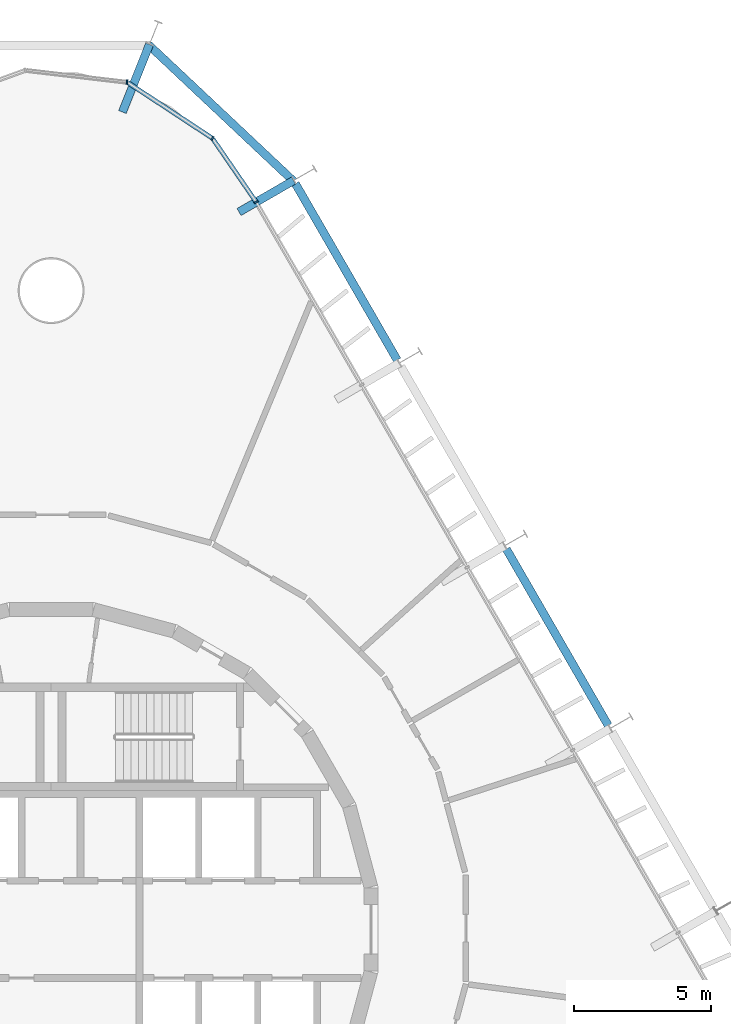
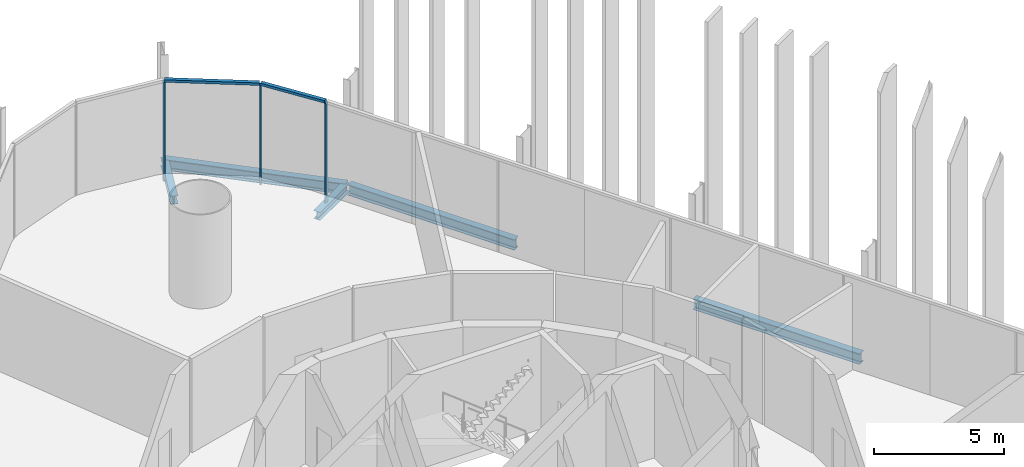
# One storey, part 11 of 17: 5 beams, 5 members, 1 element without a shape of its own.
"""IFC4 building model written with IfcOpenShell, lengths in metres."""

from ifc_helpers import new_model, si_unit, direction, frame, origin, origin_2d, place, context, subcontext, project, spatial, rectangle, i_section, extrude, material, layer, layer_set, material_profile, profile_set, type_object, element, aggregate, save


model = new_model("IFC4")

# Units and contexts
model_context = context("Model", 3, precision=1e-05, world=origin(), true_north=direction((0.0, 1.0)))
body_context = subcontext(model_context, "Body", "Model", "MODEL_VIEW")
ifc_project = project(units=[si_unit("LENGTHUNIT", "METRE"), si_unit("AREAUNIT", "SQUARE_METRE"), si_unit("VOLUMEUNIT", "CUBIC_METRE"), si_unit("PLANEANGLEUNIT", "RADIAN"), si_unit("MASSUNIT", "GRAM", prefix="KILO")], contexts=[model_context])

# Site, building, storey
site_placement = place(None, origin())
site = spatial("IfcSite", under=ifc_project, at=site_placement, CompositionType="ELEMENT")
building_placement = place(site_placement, origin())
building = spatial("IfcBuilding", under=site, at=building_placement, Name="Spindle Arch Residences", CompositionType="ELEMENT")
storey_placement = place(building_placement, frame((0.0, 0.0, 18.60009765625)))
storey = spatial("IfcBuildingStorey", under=building, at=storey_placement, Name="L03", CompositionType="ELEMENT", Elevation=18.60009765625)

# Curtain wall, members
ifc_material_1 = material(Name="Aluminium bronze unitised frame with tinted glass", Category="aluminium")
ifc_layer = layer(ifc_material_1, 0.159912109375)
ifc_layer_set = layer_set([ifc_layer], Name="CW-D corner wall on the fillet arcs")
curtain_wall_type = type_object("IfcCurtainWallType", Name="CW-D corner wall on the fillet arcs", PredefinedType="NOTDEFINED", material=ifc_layer_set)
curtain_wall_placement = place(storey_placement, origin())
curtain_wall = element("IfcCurtainWall", 1, at=curtain_wall_placement, inside=storey, type_object=curtain_wall_type, Name="CW-D L03 run 3", PredefinedType="NOTDEFINED")
ifc_material_2 = material(Name="Aluminium bronze anodised mullion", Category="aluminium")
ifc_material_profile_1 = material_profile(ifc_material_2, rectangle(XDim=0.159912109375, YDim=0.06005859375, at=origin_2d()), Name="MU 60x160")
ifc_profile_set_1 = profile_set([ifc_material_profile_1], Name="Aluminium bronze anodised mullion")
member_type_1 = type_object("IfcMemberType", Name="Bronze mullion 60x160", PredefinedType="MULLION", material=ifc_profile_set_1)
member_1_placement = place(storey_placement, frame((7.46923828125, 26.48291015625, -0.380126953125), z_axis=(0.0, 0.0, 1.0), x_axis=(-0.824747802142, -0.565500718711, 0.0)))
member_1 = element("IfcMember", 2, at=member_1_placement, type_object=member_type_1, Name="CW-D mullion 00", PredefinedType="MULLION", context=body_context, shape_type="SweptSolid", body=[
    extrude(rectangle(XDim=0.159912109375, YDim=0.06005859375, at=origin_2d()), origin(), (0.0, 0.0, 1.0), 4.679931640625),
])
member_2_placement = place(storey_placement, frame((5.877197265625, 28.8046875, -0.380126953125), z_axis=(0.0, 0.0, 1.0), x_axis=(-0.549508977628, -0.835487811704, 0.0)))
member_2 = element("IfcMember", 3, at=member_2_placement, type_object=member_type_1, Name="CW-D mullion 01", PredefinedType="MULLION", context=body_context, shape_type="SweptSolid", body=[
    extrude(rectangle(XDim=0.159912109375, YDim=0.06005859375, at=origin_2d()), origin(), (0.0, 0.0, 1.0), 4.679931640625),
])
member_3_placement = place(storey_placement, frame((2.763427734375, 30.8525390625, -0.380126953125), z_axis=(0.0, 0.0, 1.0), x_axis=(-0.116092915414, -0.993238357591, 0.0)))
member_3 = element("IfcMember", 4, at=member_3_placement, type_object=member_type_1, Name="CW-D mullion 02", PredefinedType="MULLION", context=body_context, shape_type="SweptSolid", body=[
    extrude(rectangle(XDim=0.159912109375, YDim=0.06005859375, at=origin_2d()), origin(), (0.0, 0.0, 1.0), 4.679931640625),
])
ifc_material_3 = material(Name="Aluminium bronze anodised transom", Category="aluminium")
ifc_material_profile_2 = material_profile(ifc_material_3, rectangle(XDim=0.159912109375, YDim=0.1201171875, at=origin_2d()), Name="TR 120x160")
ifc_profile_set_2 = profile_set([ifc_material_profile_2], Name="Aluminium bronze anodised transom")
member_type_2 = type_object("IfcMemberType", Name="Bronze transom 120x160", PredefinedType="USERDEFINED", material=ifc_profile_set_2)
member_4_placement = place(storey_placement, frame((7.4521484375, 26.507568359375, 4.35986328125), z_axis=(-0.565490471855, 0.824754827958, 0.0), x_axis=(-0.824754827958, -0.565490471855, 0.0)))
member_4 = element("IfcMember", 5, at=member_4_placement, type_object=member_type_2, Name="CW-D transom 00", ObjectType="TRANSOM", PredefinedType="USERDEFINED", context=body_context, shape_type="SweptSolid", body=[
    extrude(rectangle(XDim=0.159912109375, YDim=0.1201171875, at=origin_2d()), origin(), (0.0, 0.0, 1.0), 2.75537109375),
])
member_5_placement = place(storey_placement, frame((5.85205078125, 28.821044921875, 4.35986328125), z_axis=(-0.835486265536, 0.549511328456, 0.0), x_axis=(-0.549511328456, -0.835486265536, 0.0)))
member_5 = element("IfcMember", 6, at=member_5_placement, type_object=member_type_2, Name="CW-D transom 01", ObjectType="TRANSOM", PredefinedType="USERDEFINED", context=body_context, shape_type="SweptSolid", body=[
    extrude(rectangle(XDim=0.159912109375, YDim=0.1201171875, at=origin_2d()), origin(), (0.0, 0.0, 1.0), 3.666748046875),
])
aggregate(curtain_wall, [member_1, member_4, member_2, member_5, member_3])

# Beams
ifc_material_4 = material(Name="Steel S460ML, intumescent coating R 120", Category="steel")
ifc_material_profile_3 = material_profile(ifc_material_4, i_section(OverallWidth=0.300048828125, OverallDepth=0.5, WebThickness=0.014404296875, FlangeThickness=0.028076171875, FilletRadius=0.027099609375, at=origin_2d()), Name="HEB 500")
ifc_profile_set_3 = profile_set([ifc_material_profile_3], Name="Steel S460ML, intumescent coating R 120")
beam_type_1 = type_object("IfcBeamType", Name="Exoskeleton edge beam HEB 500", PredefinedType="BEAM", material=ifc_profile_set_3)
beam_1_placement = place(storey_placement, frame((20.283935546875, 7.427001953125, -0.630126953125), z_axis=(-0.500003477455, 0.866023396066, 0.0), x_axis=(-0.866023396066, -0.500003477455, 0.0)))
element("IfcBeam", 7, at=beam_1_placement, inside=storey, type_object=beam_type_1, Name="Exoskeleton edge beam 8", PredefinedType="BEAM", context=body_context, shape_type="SweptSolid", body=[
    extrude(i_section(OverallWidth=0.300048828125, OverallDepth=0.5, WebThickness=0.014404296875, FlangeThickness=0.028076171875, FilletRadius=0.027099609375, at=origin_2d()), origin(), (0.0, 0.0, 1.0), 7.419921875),
])
beam_2_placement = place(storey_placement, frame((12.60400390625, 20.729248046875, -0.630126953125), z_axis=(-0.5000139068, 0.866017374541, 0.0), x_axis=(-0.866017374541, -0.5000139068, 0.0)))
element("IfcBeam", 8, at=beam_2_placement, inside=storey, type_object=beam_type_1, Name="Exoskeleton edge beam 10", PredefinedType="BEAM", context=body_context, shape_type="SweptSolid", body=[
    extrude(i_section(OverallWidth=0.300048828125, OverallDepth=0.5, WebThickness=0.014404296875, FlangeThickness=0.028076171875, FilletRadius=0.027099609375, at=origin_2d()), origin(), (0.0, 0.0, 1.0), 7.420166015625),
])
beam_3_placement = place(storey_placement, frame((8.829345703125, 27.24169921875, -0.630126953125), z_axis=(-0.728377909202, 0.685175613538, 0.0), x_axis=(-0.685175613538, -0.728377909202, 0.0)))
element("IfcBeam", 9, at=beam_3_placement, inside=storey, type_object=beam_type_1, Name="Exoskeleton edge beam 11", PredefinedType="BEAM", context=body_context, shape_type="SweptSolid", body=[
    extrude(i_section(OverallWidth=0.300048828125, OverallDepth=0.5, WebThickness=0.014404296875, FlangeThickness=0.028076171875, FilletRadius=0.027099609375, at=origin_2d()), origin(), (0.0, 0.0, 1.0), 7.250244140625),
])
ifc_material_5 = material(Name="Steel S460ML, intumescent coating R 120", Category="steel")
ifc_material_profile_4 = material_profile(ifc_material_5, i_section(OverallWidth=0.300048828125, OverallDepth=0.389892578125, WebThickness=0.010986328125, FlangeThickness=0.01904296875, FilletRadius=0.027099609375, at=origin_2d()), Name="HEA 400")
ifc_profile_set_4 = profile_set([ifc_material_profile_4], Name="Steel S460ML, intumescent coating R 120")
beam_type_2 = type_object("IfcBeamType", Name="Floor outrigger HEA 400", PredefinedType="BEAM", material=ifc_profile_set_4)
beam_4_placement = place(storey_placement, frame((8.828857421875, 27.267822265625, -0.5751953125), z_axis=(-0.866020755578, -0.500008050843, 0.0), x_axis=(0.500008050843, -0.866020755578, 0.0)))
element("IfcBeam", 10, at=beam_4_placement, inside=storey, type_object=beam_type_2, Name="Floor outrigger 11", PredefinedType="BEAM", context=body_context, shape_type="SweptSolid", body=[
    extrude(i_section(OverallWidth=0.300048828125, OverallDepth=0.389892578125, WebThickness=0.010986328125, FlangeThickness=0.01904296875, FilletRadius=0.027099609375, at=origin_2d()), origin(), (0.0, 0.0, 1.0), 2.2939453125),
])
beam_5_placement = place(storey_placement, frame((3.581298828125, 32.220703125, -0.5751953125), z_axis=(-0.371104734129, -0.928591016706, 0.0), x_axis=(0.928591016706, -0.371104734129, 0.0)))
element("IfcBeam", 11, at=beam_5_placement, inside=storey, type_object=beam_type_2, Name="Floor outrigger 12", PredefinedType="BEAM", context=body_context, shape_type="SweptSolid", body=[
    extrude(i_section(OverallWidth=0.300048828125, OverallDepth=0.389892578125, WebThickness=0.010986328125, FlangeThickness=0.01904296875, FilletRadius=0.027099609375, at=origin_2d()), origin(), (0.0, 0.0, 1.0), 2.64990234375),
])

save(model, "model.ifc")
